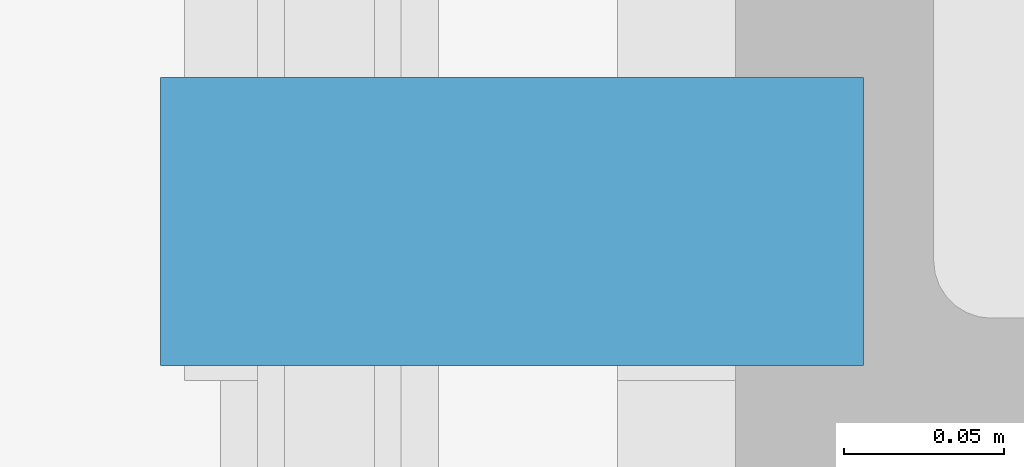
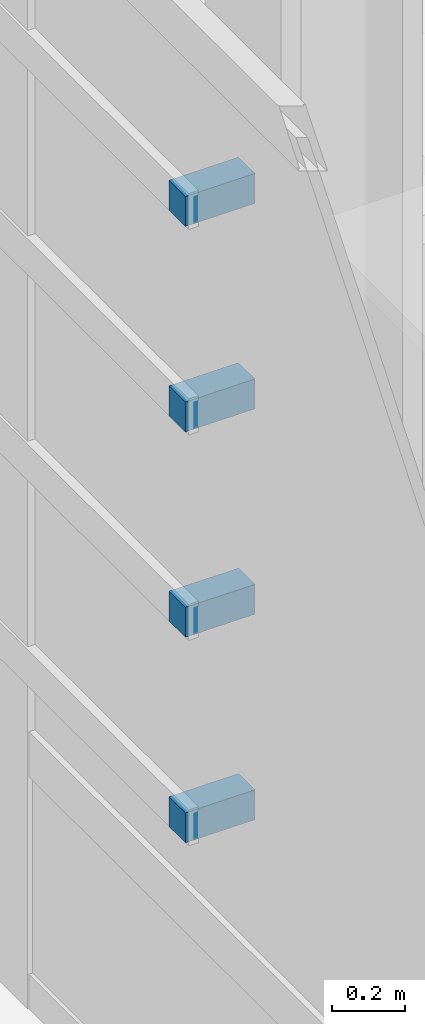
# One storey, part 31 of 36: 4 discrete accessories.
"""IFC4 building model written with IfcOpenShell, lengths in metres."""

from ifc_helpers import new_model, si_unit, direction, frame, origin, origin_2d, place, context, subcontext, project, spatial, rectangle, extrude, material, type_object, element, save


model = new_model("IFC4")

# Units and contexts
model_context = context("Model", 3, precision=1e-05, world=origin(), true_north=direction((0.0, 1.0)))
body_context = subcontext(model_context, "Body", "Model", "MODEL_VIEW")
ifc_project = project(units=[si_unit("LENGTHUNIT", "METRE"), si_unit("AREAUNIT", "SQUARE_METRE"), si_unit("VOLUMEUNIT", "CUBIC_METRE"), si_unit("PLANEANGLEUNIT", "RADIAN"), si_unit("MASSUNIT", "GRAM", prefix="KILO")], contexts=[model_context])

# Site, building, storey
site_placement = place(None, origin())
site = spatial("IfcSite", under=ifc_project, at=site_placement, CompositionType="ELEMENT")
building_placement = place(site_placement, origin())
building = spatial("IfcBuilding", under=site, at=building_placement, Name="Punatoya Terracotta Tower", CompositionType="ELEMENT")
storey_placement = place(building_placement, frame((0.0, 0.0, 40.35009765625)))
storey = spatial("IfcBuildingStorey", under=building, at=storey_placement, Name="L08", CompositionType="ELEMENT", Elevation=40.35009765625)

# Discrete accessories
ifc_material = material(Name="Steel S355", Category="steel")
discrete_accessory_type = type_object("IfcDiscreteAccessoryType", Name="ACC-BRK-220", PredefinedType="BRACKET", material=ifc_material)
for number, where, z_axis, x_axis, name in (
    (1, (-24.79296875, -3.35009765625, 1.099853515625), (0.0, 0.0, 1.0), (0.0, 1.0, 0.0), "L08 Baguette Louvre Column Bracket BAG-L08-W-01"),
    (2, (-24.79296875, -3.35009765625, 1.78662109375), (0.0, 0.0, 1.0), (0.0, 1.0, 0.0), "L08 Baguette Louvre Column Bracket BAG-L08-W-02"),
    (3, (-24.79296875, -3.35009765625, 2.47314453125), (0.0, 0.0, 1.0), (0.0, 1.0, 0.0), "L08 Baguette Louvre Column Bracket BAG-L08-W-03"),
    (4, (-24.79296875, -3.35009765625, 3.159912109375), (0.0, 0.0, 1.0), (0.0, 1.0, 0.0), "L08 Baguette Louvre Column Bracket BAG-L08-W-04"),
):
    element("IfcDiscreteAccessory", number, at=place(storey_placement, frame(where, z_axis=z_axis, x_axis=x_axis)), inside=storey, type_object=discrete_accessory_type, Name=name, PredefinedType="BRACKET", context=body_context, shape_type="SweptSolid", body=[
        extrude(rectangle(XDim=0.090087890625, YDim=0.219970703125, at=origin_2d()), origin(), (0.0, 0.0, 1.0), 0.10009765625),
    ])

save(model, "model.ifc")
